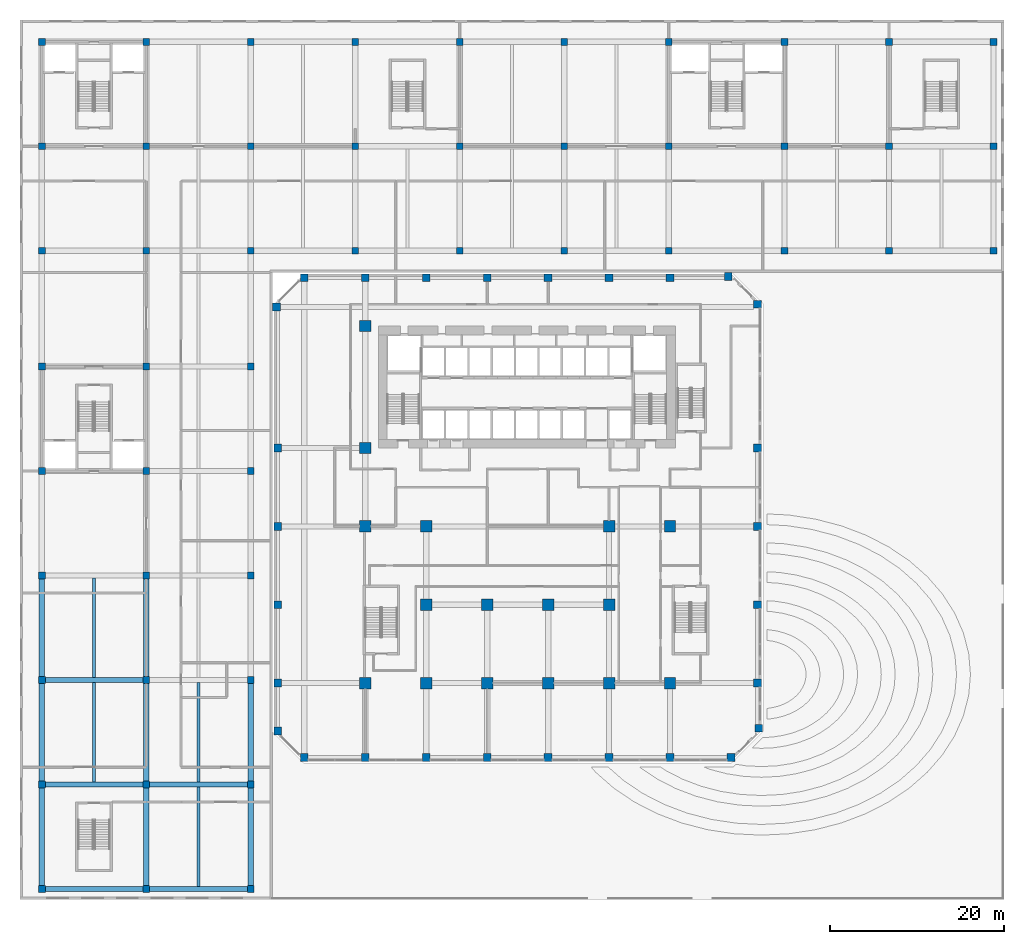
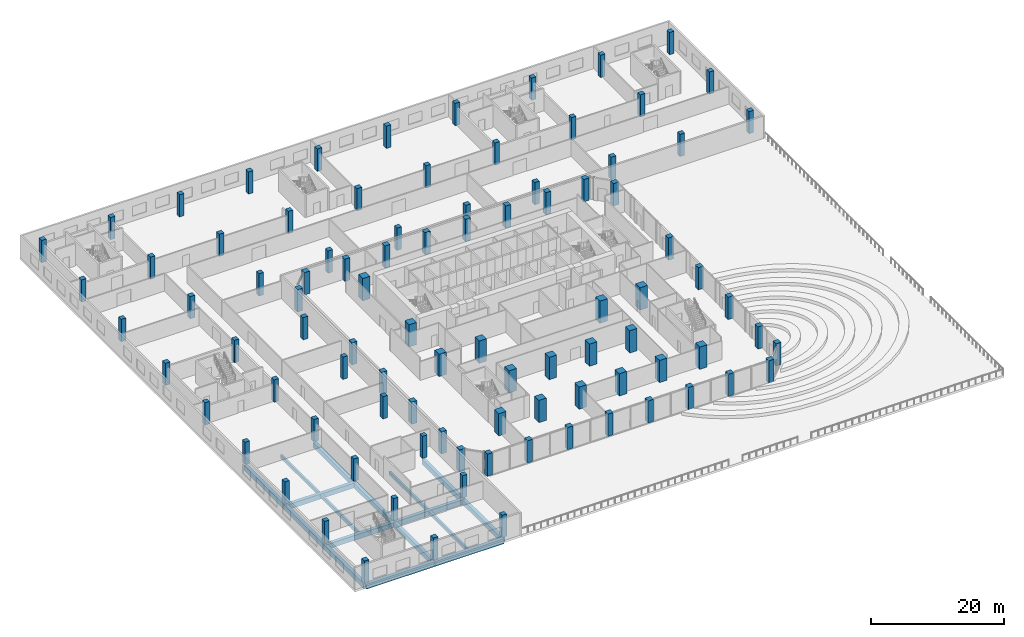
# One storey, part 1 of 38: 92 columns, 17 beams.
"""IFC4 building model written with IfcOpenShell, lengths in metres."""

from ifc_helpers import new_model, si_unit, direction, frame, origin, origin_2d, place, context, subcontext, project, spatial, rectangle, extrude, source, transform, mapped, material, material_profile, profile_set, type_object, element, save


model = new_model("IFC4")

# Units and contexts
model_context = context("Model", 3, precision=1e-05, world=origin(), true_north=direction((0.0, 1.0)))
body_context = subcontext(model_context, "Body", "Model", "MODEL_VIEW")
ifc_project = project(units=[si_unit("LENGTHUNIT", "METRE"), si_unit("AREAUNIT", "SQUARE_METRE"), si_unit("VOLUMEUNIT", "CUBIC_METRE"), si_unit("PLANEANGLEUNIT", "RADIAN"), si_unit("MASSUNIT", "GRAM", prefix="KILO")], contexts=[model_context])

# Site, building, storey
site_placement = place(None, origin())
site = spatial("IfcSite", under=ifc_project, at=site_placement, CompositionType="ELEMENT")
building_placement = place(site_placement, origin())
building = spatial("IfcBuilding", under=site, at=building_placement, Name="Kilnfold Tower and Market Hall", CompositionType="ELEMENT")
storey_placement = place(building_placement, frame((0.0, 0.0, 9.0)))
storey = spatial("IfcBuildingStorey", under=building, at=storey_placement, Name="L01", CompositionType="ELEMENT", Elevation=9.0)

# Columns
ifc_material_1 = material(Name="Concrete C80", Category="concrete")
ifc_material_profile_1 = material_profile(ifc_material_1, rectangle(XDim=0.89990234375, YDim=0.89990234375, at=origin_2d()), Name="RC 900x900")
ifc_profile_set_1 = profile_set([ifc_material_profile_1], Name="Concrete C80")
column_type_1 = type_object("IfcColumnType", Name="COLUMN 900X900 C80", PredefinedType="COLUMN", material=ifc_profile_set_1)
shared_shape_1 = source(origin(), body_context, "Body", "SweptSolid", [
    extrude(rectangle(XDim=0.89990234375, YDim=0.89990234375, at=origin_2d()), origin(), (0.0, 0.0, 1.0), 4.10009765625),
])
for number, where, z_axis, x_axis, name in (
    (1, (-27.681884765625, 24.181884765625, 0.0), (0.0, 0.0, 1.0), (1.0, 0.0, 0.0), "Column C-B1-1H"),
    (2, (-27.550048828125, -24.5, 0.0), (0.0, 0.0, 1.0), (1.0, 0.0, 0.0), "Column C-B1-1B"),
    (3, (-27.550048828125, -19.0, 0.0), (0.0, 0.0, 1.0), (1.0, 0.0, 0.0), "Column C-B1-1C"),
    (4, (-27.550048828125, -10.0, 0.0), (0.0, 0.0, 1.0), (1.0, 0.0, 0.0), "Column C-B1-1D"),
    (5, (-27.550048828125, -1.0, 0.0), (0.0, 0.0, 1.0), (1.0, 0.0, 0.0), "Column C-B1-1E"),
    (6, (-27.550048828125, 8.0, 0.0), (0.0, 0.0, 1.0), (1.0, 0.0, 0.0), "Column C-B1-1F"),
    (7, (-24.5, -27.550048828125, 0.0), (0.0, 0.0, 1.0), (1.0, 0.0, 0.0), "Column C-B1-2A"),
    (8, (-24.5, 27.550048828125, 0.0), (0.0, 0.0, 1.0), (1.0, 0.0, 0.0), "Column C-B1-2I"),
    (9, (-17.5, -27.550048828125, 0.0), (0.0, 0.0, 1.0), (1.0, 0.0, 0.0), "Column C-B1-3A"),
    (10, (-17.5, 27.550048828125, 0.0), (0.0, 0.0, 1.0), (1.0, 0.0, 0.0), "Column C-B1-3I"),
    (11, (-10.5, -27.550048828125, 0.0), (0.0, 0.0, 1.0), (1.0, 0.0, 0.0), "Column C-B1-4A"),
    (12, (-10.5, 27.550048828125, 0.0), (0.0, 0.0, 1.0), (1.0, 0.0, 0.0), "Column C-B1-4I"),
    (13, (-3.5, -27.550048828125, 0.0), (0.0, 0.0, 1.0), (1.0, 0.0, 0.0), "Column C-B1-5A"),
    (14, (-3.5, 27.550048828125, 0.0), (0.0, 0.0, 1.0), (1.0, 0.0, 0.0), "Column C-B1-5I"),
    (15, (3.5, -27.550048828125, 0.0), (0.0, 0.0, 1.0), (1.0, 0.0, 0.0), "Column C-B1-6A"),
    (16, (3.5, 27.550048828125, 0.0), (0.0, 0.0, 1.0), (1.0, 0.0, 0.0), "Column C-B1-6I"),
    (17, (10.5, -27.550048828125, 0.0), (0.0, 0.0, 1.0), (1.0, 0.0, 0.0), "Column C-B1-7A"),
    (18, (10.5, 27.550048828125, 0.0), (0.0, 0.0, 1.0), (1.0, 0.0, 0.0), "Column C-B1-7I"),
    (19, (17.5, -27.550048828125, 0.0), (0.0, 0.0, 1.0), (1.0, 0.0, 0.0), "Column C-B1-8A"),
    (20, (17.5, 27.550048828125, 0.0), (0.0, 0.0, 1.0), (1.0, 0.0, 0.0), "Column C-B1-8I"),
    (21, (24.181884765625, 27.681884765625, 0.0), (0.0, 0.0, 1.0), (1.0, 0.0, 0.0), "Column C-B1-9I"),
    (22, (24.5, -27.550048828125, 0.0), (0.0, 0.0, 1.0), (1.0, 0.0, 0.0), "Column C-B1-9A"),
    (23, (27.550048828125, -19.0, 0.0), (0.0, 0.0, 1.0), (1.0, 0.0, 0.0), "Column C-B1-10C"),
    (24, (27.550048828125, -10.0, 0.0), (0.0, 0.0, 1.0), (1.0, 0.0, 0.0), "Column C-B1-10D"),
    (25, (27.550048828125, -1.0, 0.0), (0.0, 0.0, 1.0), (1.0, 0.0, 0.0), "Column C-B1-10E"),
    (26, (27.550048828125, 8.0, 0.0), (0.0, 0.0, 1.0), (1.0, 0.0, 0.0), "Column C-B1-10F"),
    (27, (27.550048828125, 24.5, 0.0), (0.0, 0.0, 1.0), (1.0, 0.0, 0.0), "Column C-B1-10H"),
    (28, (27.681884765625, -24.181884765625, 0.0), (0.0, 0.0, 1.0), (1.0, 0.0, 0.0), "Column C-B1-10B"),
):
    element("IfcColumn", number, at=place(storey_placement, frame(where, z_axis=z_axis, x_axis=x_axis)), inside=storey, type_object=column_type_1, Name=name, PredefinedType="COLUMN", context=body_context, shape_type="MappedRepresentation", body=[
        mapped(shared_shape_1, transform((0.0, 0.0, 0.0))),
    ])
ifc_material_2 = material(Name="Concrete C80", Category="concrete")
ifc_material_profile_2 = material_profile(ifc_material_2, rectangle(XDim=1.300048828125, YDim=1.300048828125, at=origin_2d()), Name="RC 1300x1300")
ifc_profile_set_2 = profile_set([ifc_material_profile_2], Name="Concrete C80")
column_type_2 = type_object("IfcColumnType", Name="COLUMN 1300X1300 C80", PredefinedType="COLUMN", material=ifc_profile_set_2)
shared_shape_2 = source(origin(), body_context, "Body", "SweptSolid", [
    extrude(rectangle(XDim=1.300048828125, YDim=1.300048828125, at=origin_2d()), origin(), (0.0, 0.0, 1.0), 4.10009765625),
])
for number, where, z_axis, x_axis, name in (
    (29, (-17.5, -19.0, 0.0), (0.0, 0.0, 1.0), (1.0, 0.0, 0.0), "Column C-B1-3C"),
    (30, (-17.5, -1.0, 0.0), (0.0, 0.0, 1.0), (1.0, 0.0, 0.0), "Column C-B1-3E"),
    (31, (-17.5, 8.0, 0.0), (0.0, 0.0, 1.0), (1.0, 0.0, 0.0), "Column C-B1-3F"),
    (32, (-17.5, 22.0, 0.0), (0.0, 0.0, 1.0), (1.0, 0.0, 0.0), "Column C-B1-3G"),
    (33, (-10.5, -19.0, 0.0), (0.0, 0.0, 1.0), (1.0, 0.0, 0.0), "Column C-B1-4C"),
    (34, (-10.5, -10.0, 0.0), (0.0, 0.0, 1.0), (1.0, 0.0, 0.0), "Column C-B1-4D"),
    (35, (-10.5, -1.0, 0.0), (0.0, 0.0, 1.0), (1.0, 0.0, 0.0), "Column C-B1-4E"),
    (36, (-3.5, -19.0, 0.0), (0.0, 0.0, 1.0), (1.0, 0.0, 0.0), "Column C-B1-5C"),
    (37, (-3.5, -10.0, 0.0), (0.0, 0.0, 1.0), (1.0, 0.0, 0.0), "Column C-B1-5D"),
    (38, (3.5, -19.0, 0.0), (0.0, 0.0, 1.0), (1.0, 0.0, 0.0), "Column C-B1-6C"),
    (39, (3.5, -10.0, 0.0), (0.0, 0.0, 1.0), (1.0, 0.0, 0.0), "Column C-B1-6D"),
    (40, (10.5, -19.0, 0.0), (0.0, 0.0, 1.0), (1.0, 0.0, 0.0), "Column C-B1-7C"),
    (41, (10.5, -10.0, 0.0), (0.0, 0.0, 1.0), (1.0, 0.0, 0.0), "Column C-B1-7D"),
    (42, (10.5, -1.0, 0.0), (0.0, 0.0, 1.0), (1.0, 0.0, 0.0), "Column C-B1-7E"),
    (43, (17.5, -19.0, 0.0), (0.0, 0.0, 1.0), (1.0, 0.0, 0.0), "Column C-B1-8C"),
    (44, (17.5, -1.0, 0.0), (0.0, 0.0, 1.0), (1.0, 0.0, 0.0), "Column C-B1-8E"),
):
    element("IfcColumn", number, at=place(storey_placement, frame(where, z_axis=z_axis, x_axis=x_axis)), inside=storey, type_object=column_type_2, Name=name, PredefinedType="COLUMN", context=body_context, shape_type="MappedRepresentation", body=[
        mapped(shared_shape_2, transform((0.0, 0.0, 0.0))),
    ])
ifc_material_3 = material(Name="Concrete C45/55", Category="concrete")
ifc_material_profile_3 = material_profile(ifc_material_3, rectangle(XDim=0.800048828125, YDim=0.800048828125, at=origin_2d()), Name="RC 800x800")
ifc_profile_set_3 = profile_set([ifc_material_profile_3], Name="Concrete C45/55")
column_type_3 = type_object("IfcColumnType", Name="HALL COL 800", PredefinedType="COLUMN", material=ifc_profile_set_3)
shared_shape_3 = source(origin(), body_context, "Body", "SweptSolid", [
    extrude(rectangle(XDim=0.800048828125, YDim=0.800048828125, at=origin_2d()), origin(), (0.0, 0.0, 1.0), 4.10009765625),
])
for number, where, z_axis, x_axis, name in (
    (45, (-54.64990234375, -42.64990234375, 0.0), (0.0, 0.0, 1.0), (1.0, 0.0, 0.0), "Column MC-1A"),
    (46, (-54.64990234375, -30.64990234375, 0.0), (0.0, 0.0, 1.0), (1.0, 0.0, 0.0), "Column MC-1B"),
    (47, (-54.64990234375, -18.64990234375, 0.0), (0.0, 0.0, 1.0), (1.0, 0.0, 0.0), "Column MC-1C"),
    (48, (-54.64990234375, -6.64990234375, 0.0), (0.0, 0.0, 1.0), (1.0, 0.0, 0.0), "Column MC-1D"),
    (49, (-54.64990234375, 5.35009765625, 0.0), (0.0, 0.0, 1.0), (1.0, 0.0, 0.0), "Column MC-1E"),
    (50, (-54.64990234375, 17.35009765625, 0.0), (0.0, 0.0, 1.0), (1.0, 0.0, 0.0), "Column MC-1F"),
    (51, (-54.64990234375, 30.64990234375, 0.0), (0.0, 0.0, 1.0), (1.0, 0.0, 0.0), "Column MC-1G"),
    (52, (-54.64990234375, 42.64990234375, 0.0), (0.0, 0.0, 1.0), (1.0, 0.0, 0.0), "Column MC-1H"),
    (53, (-54.64990234375, 54.64990234375, 0.0), (0.0, 0.0, 1.0), (1.0, 0.0, 0.0), "Column MC-1I"),
    (54, (-42.64990234375, -42.64990234375, 0.0), (0.0, 0.0, 1.0), (1.0, 0.0, 0.0), "Column MC-2A"),
    (55, (-42.64990234375, -30.64990234375, 0.0), (0.0, 0.0, 1.0), (1.0, 0.0, 0.0), "Column MC-2B"),
    (56, (-42.64990234375, -18.64990234375, 0.0), (0.0, 0.0, 1.0), (1.0, 0.0, 0.0), "Column MC-2C"),
    (57, (-42.64990234375, -6.64990234375, 0.0), (0.0, 0.0, 1.0), (1.0, 0.0, 0.0), "Column MC-2D"),
    (58, (-42.64990234375, 5.35009765625, 0.0), (0.0, 0.0, 1.0), (1.0, 0.0, 0.0), "Column MC-2E"),
    (59, (-42.64990234375, 17.35009765625, 0.0), (0.0, 0.0, 1.0), (1.0, 0.0, 0.0), "Column MC-2F"),
    (60, (-42.64990234375, 30.64990234375, 0.0), (0.0, 0.0, 1.0), (1.0, 0.0, 0.0), "Column MC-2G"),
    (61, (-42.64990234375, 42.64990234375, 0.0), (0.0, 0.0, 1.0), (1.0, 0.0, 0.0), "Column MC-2H"),
    (62, (-42.64990234375, 54.64990234375, 0.0), (0.0, 0.0, 1.0), (1.0, 0.0, 0.0), "Column MC-2I"),
    (63, (-30.64990234375, -42.64990234375, 0.0), (0.0, 0.0, 1.0), (1.0, 0.0, 0.0), "Column MC-3A"),
    (64, (-30.64990234375, -30.64990234375, 0.0), (0.0, 0.0, 1.0), (1.0, 0.0, 0.0), "Column MC-3B"),
    (65, (-30.64990234375, -18.64990234375, 0.0), (0.0, 0.0, 1.0), (1.0, 0.0, 0.0), "Column MC-3C"),
    (66, (-30.64990234375, -6.64990234375, 0.0), (0.0, 0.0, 1.0), (1.0, 0.0, 0.0), "Column MC-3D"),
    (67, (-30.64990234375, 5.35009765625, 0.0), (0.0, 0.0, 1.0), (1.0, 0.0, 0.0), "Column MC-3E"),
    (68, (-30.64990234375, 17.35009765625, 0.0), (0.0, 0.0, 1.0), (1.0, 0.0, 0.0), "Column MC-3F"),
    (69, (-30.64990234375, 30.64990234375, 0.0), (0.0, 0.0, 1.0), (1.0, 0.0, 0.0), "Column MC-3G"),
    (70, (-30.64990234375, 42.64990234375, 0.0), (0.0, 0.0, 1.0), (1.0, 0.0, 0.0), "Column MC-3H"),
    (71, (-30.64990234375, 54.64990234375, 0.0), (0.0, 0.0, 1.0), (1.0, 0.0, 0.0), "Column MC-3I"),
    (72, (-18.64990234375, 30.64990234375, 0.0), (0.0, 0.0, 1.0), (1.0, 0.0, 0.0), "Column MC-4G"),
    (73, (-18.64990234375, 42.64990234375, 0.0), (0.0, 0.0, 1.0), (1.0, 0.0, 0.0), "Column MC-4H"),
    (74, (-18.64990234375, 54.64990234375, 0.0), (0.0, 0.0, 1.0), (1.0, 0.0, 0.0), "Column MC-4I"),
    (75, (-6.64990234375, 30.64990234375, 0.0), (0.0, 0.0, 1.0), (1.0, 0.0, 0.0), "Column MC-5G"),
    (76, (-6.64990234375, 42.64990234375, 0.0), (0.0, 0.0, 1.0), (1.0, 0.0, 0.0), "Column MC-5H"),
    (77, (-6.64990234375, 54.64990234375, 0.0), (0.0, 0.0, 1.0), (1.0, 0.0, 0.0), "Column MC-5I"),
    (78, (5.35009765625, 30.64990234375, 0.0), (0.0, 0.0, 1.0), (1.0, 0.0, 0.0), "Column MC-6G"),
    (79, (5.35009765625, 42.64990234375, 0.0), (0.0, 0.0, 1.0), (1.0, 0.0, 0.0), "Column MC-6H"),
    (80, (5.35009765625, 54.64990234375, 0.0), (0.0, 0.0, 1.0), (1.0, 0.0, 0.0), "Column MC-6I"),
    (81, (17.35009765625, 30.64990234375, 0.0), (0.0, 0.0, 1.0), (1.0, 0.0, 0.0), "Column MC-7G"),
    (82, (17.35009765625, 42.64990234375, 0.0), (0.0, 0.0, 1.0), (1.0, 0.0, 0.0), "Column MC-7H"),
    (83, (17.35009765625, 54.64990234375, 0.0), (0.0, 0.0, 1.0), (1.0, 0.0, 0.0), "Column MC-7I"),
    (84, (30.64990234375, 30.64990234375, 0.0), (0.0, 0.0, 1.0), (1.0, 0.0, 0.0), "Column MC-8G"),
    (85, (30.64990234375, 42.64990234375, 0.0), (0.0, 0.0, 1.0), (1.0, 0.0, 0.0), "Column MC-8H"),
    (86, (30.64990234375, 54.64990234375, 0.0), (0.0, 0.0, 1.0), (1.0, 0.0, 0.0), "Column MC-8I"),
    (87, (42.64990234375, 30.64990234375, 0.0), (0.0, 0.0, 1.0), (1.0, 0.0, 0.0), "Column MC-9G"),
    (88, (42.64990234375, 42.64990234375, 0.0), (0.0, 0.0, 1.0), (1.0, 0.0, 0.0), "Column MC-9H"),
    (89, (42.64990234375, 54.64990234375, 0.0), (0.0, 0.0, 1.0), (1.0, 0.0, 0.0), "Column MC-9I"),
    (90, (54.64990234375, 30.64990234375, 0.0), (0.0, 0.0, 1.0), (1.0, 0.0, 0.0), "Column MC-10G"),
    (91, (54.64990234375, 42.64990234375, 0.0), (0.0, 0.0, 1.0), (1.0, 0.0, 0.0), "Column MC-10H"),
    (92, (54.64990234375, 54.64990234375, 0.0), (0.0, 0.0, 1.0), (1.0, 0.0, 0.0), "Column MC-10I"),
):
    element("IfcColumn", number, at=place(storey_placement, frame(where, z_axis=z_axis, x_axis=x_axis)), inside=storey, type_object=column_type_3, Name=name, PredefinedType="COLUMN", context=body_context, shape_type="MappedRepresentation", body=[
        mapped(shared_shape_3, transform((0.0, 0.0, 0.0))),
    ])

# Beams
ifc_material_4 = material(Name="Concrete C40/50", Category="concrete")
ifc_material_profile_4 = material_profile(ifc_material_4, rectangle(XDim=0.60009765625, YDim=0.89990234375, at=origin_2d()), Name="RC 600x900")
ifc_profile_set_4 = profile_set([ifc_material_profile_4], Name="Concrete C40/50")
beam_type_1 = type_object("IfcBeamType", Name="HALL GIRDER 600X900", PredefinedType="BEAM", material=ifc_profile_set_4)
for number, where, z_axis, x_axis, name in (
    (93, (-54.64990234375, -42.64990234375, -0.85009765625), (0.0, 1.0, 0.0), (-1.0, 0.0, 0.0), "Beam MG1.1"),
    (94, (-54.64990234375, -42.64990234375, -0.85009765625), (1.0, 0.0, 0.0), (0.0, 1.0, 0.0), "Beam MG1.2"),
    (95, (-54.64990234375, -30.64990234375, -0.85009765625), (0.0, 1.0, 0.0), (-1.0, 0.0, 0.0), "Beam MG1.3"),
    (96, (-54.64990234375, -30.64990234375, -0.85009765625), (1.0, 0.0, 0.0), (0.0, 1.0, 0.0), "Beam MG1.4"),
    (97, (-54.64990234375, -18.64990234375, -0.85009765625), (0.0, 1.0, 0.0), (-1.0, 0.0, 0.0), "Beam MG1.5"),
    (98, (-54.64990234375, -18.64990234375, -0.85009765625), (1.0, 0.0, 0.0), (0.0, 1.0, 0.0), "Beam MG1.6"),
    (99, (-42.64990234375, -42.64990234375, -0.85009765625), (0.0, 1.0, 0.0), (-1.0, 0.0, 0.0), "Beam MG1.18"),
    (100, (-42.64990234375, -42.64990234375, -0.85009765625), (1.0, 0.0, 0.0), (0.0, 1.0, 0.0), "Beam MG1.19"),
    (101, (-42.64990234375, -30.64990234375, -0.85009765625), (0.0, 1.0, 0.0), (-1.0, 0.0, 0.0), "Beam MG1.20"),
    (102, (-42.64990234375, -30.64990234375, -0.85009765625), (1.0, 0.0, 0.0), (0.0, 1.0, 0.0), "Beam MG1.21"),
    (103, (-42.64990234375, -18.64990234375, -0.85009765625), (0.0, 1.0, 0.0), (-1.0, 0.0, 0.0), "Beam MG1.22"),
    (104, (-30.64990234375, -42.64990234375, -0.85009765625), (0.0, 1.0, 0.0), (-1.0, 0.0, 0.0), "Beam MG1.35"),
    (105, (-30.64990234375, -30.64990234375, -0.85009765625), (0.0, 1.0, 0.0), (-1.0, 0.0, 0.0), "Beam MG1.36"),
):
    element("IfcBeam", number, at=place(storey_placement, frame(where, z_axis=z_axis, x_axis=x_axis)), inside=storey, type_object=beam_type_1, Name=name, PredefinedType="BEAM", context=body_context, shape_type="SweptSolid", body=[
        extrude(rectangle(XDim=0.60009765625, YDim=0.89990234375, at=origin_2d()), origin(), (0.0, 0.0, 1.0), 12.0),
    ])
ifc_material_5 = material(Name="Concrete C40/50", Category="concrete")
ifc_material_profile_5 = material_profile(ifc_material_5, rectangle(XDim=0.35009765625, YDim=0.60009765625, at=origin_2d()), Name="RC 350x600")
ifc_profile_set_5 = profile_set([ifc_material_profile_5], Name="Concrete C40/50")
beam_type_2 = type_object("IfcBeamType", Name="HALL JOIST 350X600", PredefinedType="BEAM", material=ifc_profile_set_5)
for number, where, z_axis, x_axis, name in (
    (106, (-48.64990234375, -30.35009765625, -0.699951171875), (0.0, 1.0, 0.0), (-1.0, 0.0, 0.0), "Beam MJ1.1"),
    (107, (-48.64990234375, -18.35009765625, -0.699951171875), (0.0, 1.0, 0.0), (-1.0, 0.0, 0.0), "Beam MJ1.2"),
    (108, (-36.64990234375, -42.35009765625, -0.699951171875), (0.0, 1.0, 0.0), (-1.0, 0.0, 0.0), "Beam MJ1.3"),
    (109, (-36.64990234375, -30.35009765625, -0.699951171875), (0.0, 1.0, 0.0), (-1.0, 0.0, 0.0), "Beam MJ1.4"),
):
    element("IfcBeam", number, at=place(storey_placement, frame(where, z_axis=z_axis, x_axis=x_axis)), inside=storey, type_object=beam_type_2, Name=name, PredefinedType="BEAM", context=body_context, shape_type="SweptSolid", body=[
        extrude(rectangle(XDim=0.35009765625, YDim=0.60009765625, at=origin_2d()), origin(), (0.0, 0.0, 1.0), 11.400146484375),
    ])

save(model, "model.ifc")
